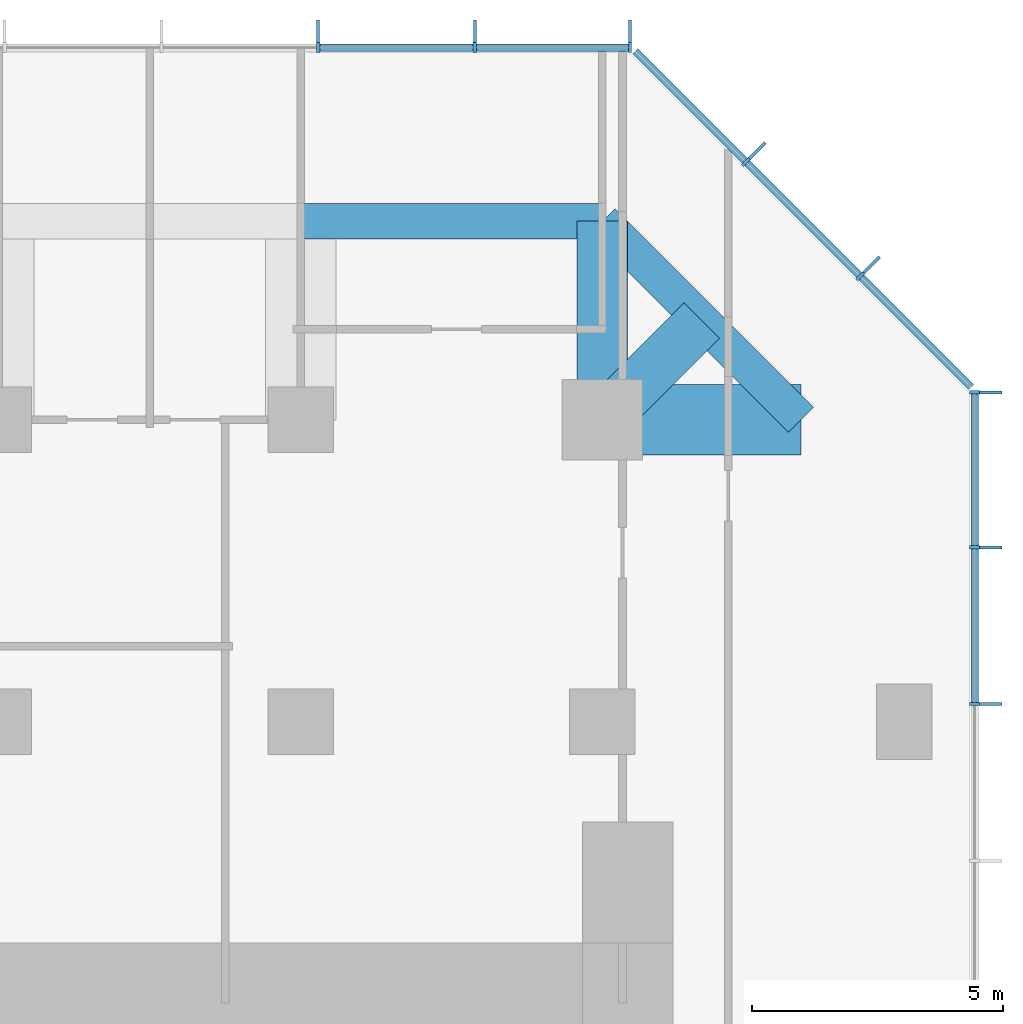
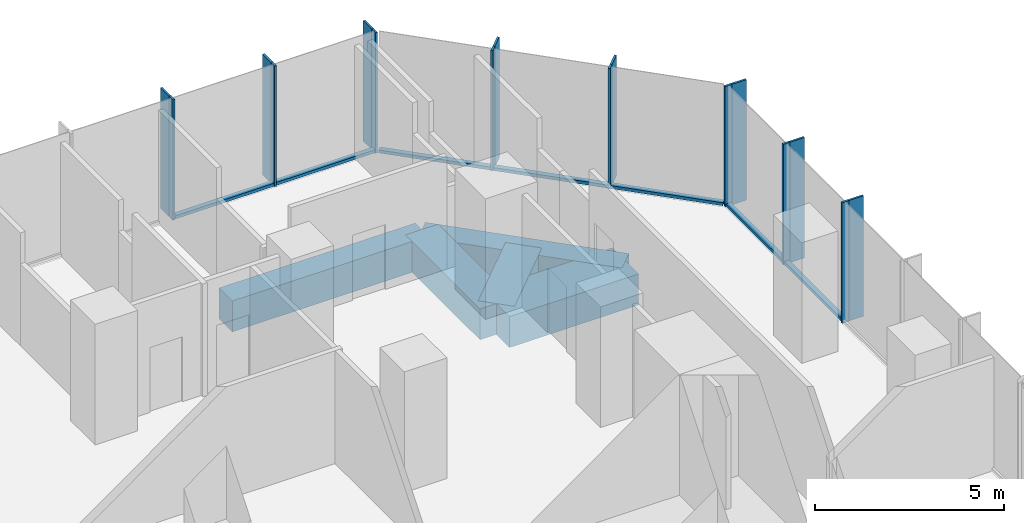
# One storey, part 6 of 11: 23 members, 5 beams, 3 elements without a shape of their own.
"""IFC4 building model written with IfcOpenShell, lengths in metres."""

from ifc_helpers import new_model, si_unit, direction, frame, origin, origin_2d, place, context, subcontext, project, spatial, rectangle, extrude, material, layer, layer_set, material_profile, profile_set, type_object, element, aggregate, save


model = new_model("IFC4")

# Units and contexts
model_context = context("Model", 3, precision=1e-05, world=origin(), true_north=direction((0.0, 1.0)))
body_context = subcontext(model_context, "Body", "Model", "MODEL_VIEW")
ifc_project = project(units=[si_unit("LENGTHUNIT", "METRE"), si_unit("AREAUNIT", "SQUARE_METRE"), si_unit("VOLUMEUNIT", "CUBIC_METRE"), si_unit("PLANEANGLEUNIT", "RADIAN"), si_unit("MASSUNIT", "GRAM", prefix="KILO")], contexts=[model_context])

# Site, building, storey
site_placement = place(None, origin())
site = spatial("IfcSite", under=ifc_project, at=site_placement, CompositionType="ELEMENT")
building_placement = place(site_placement, origin())
building = spatial("IfcBuilding", under=site, at=building_placement, Name="Highveld Stack Headquarters", CompositionType="ELEMENT")
storey_placement = place(building_placement, frame((0.0, 0.0, 204.5)))
storey = spatial("IfcBuildingStorey", under=building, at=storey_placement, Name="L50", CompositionType="ELEMENT", Elevation=204.5)

# Beams
ifc_material_1 = material(Name="Concrete C60/75", Category="concrete")
ifc_material_profile_1 = material_profile(ifc_material_1, rectangle(XDim=1.0, YDim=1.0, at=origin_2d()), Name="RC 1000x1000")
ifc_profile_set_1 = profile_set([ifc_material_profile_1], Name="Concrete C60/75")
beam_type_1 = type_object("IfcBeamType", Name="CANTILEVER RIB RC 1000x1000", PredefinedType="USERDEFINED", material=ifc_profile_set_1)
beam_1_placement = place(storey_placement, frame((18.0, 24.0, -0.75), z_axis=(0.0, 1.0, 0.0), x_axis=(-1.0, 0.0, 0.0)))
element("IfcBeam", 1, at=beam_1_placement, inside=storey, type_object=beam_type_1, Name="Cantilever rib 9/J L50", ObjectType="CANTILEVER RIB", PredefinedType="USERDEFINED", context=body_context, shape_type="SweptSolid", body=[
    extrude(rectangle(XDim=1.0, YDim=1.0, at=origin_2d()), origin(), (0.0, 0.0, 1.0), 3.949951171875),
])
beam_2_placement = place(storey_placement, frame((18.0, 24.0, -0.75), z_axis=(0.707106781187, 0.707106781187, 0.0), x_axis=(-0.707106781187, 0.707106781187, 0.0)))
element("IfcBeam", 2, at=beam_2_placement, inside=storey, type_object=beam_type_1, Name="Cantilever rib 9/J L50", ObjectType="CANTILEVER RIB", PredefinedType="USERDEFINED", context=body_context, shape_type="SweptSolid", body=[
    extrude(rectangle(XDim=1.0, YDim=1.0, at=origin_2d()), origin(), (0.0, 0.0, 1.0), 2.793212890625),
])
ifc_material_2 = material(Name="Concrete C60/75", Category="concrete")
ifc_material_profile_2 = material_profile(ifc_material_2, rectangle(XDim=1.39990234375, YDim=1.0, at=origin_2d()), Name="RC 1400x1000")
ifc_profile_set_2 = profile_set([ifc_material_profile_2], Name="Concrete C60/75")
beam_type_2 = type_object("IfcBeamType", Name="CANTILEVER RIB RC 1400x1000", PredefinedType="USERDEFINED", material=ifc_profile_set_2)
beam_3_placement = place(storey_placement, frame((18.0, 24.0, -0.75), z_axis=(1.0, 0.0, 0.0), x_axis=(0.0, 1.0, 0.0)))
element("IfcBeam", 3, at=beam_3_placement, inside=storey, type_object=beam_type_2, Name="Cantilever rib 9/J L50", ObjectType="CANTILEVER RIB", PredefinedType="USERDEFINED", context=body_context, shape_type="SweptSolid", body=[
    extrude(rectangle(XDim=1.39990234375, YDim=1.0, at=origin_2d()), origin(), (0.0, 0.0, 1.0), 3.949951171875),
])

# Curtain wall, members
ifc_material_3 = material(Name="Aluminium bronze anodised", Category="aluminium")
ifc_layer_1 = layer(ifc_material_3, 0.199951171875)
ifc_layer_set_1 = layer_set([ifc_layer_1], Name="Aluminium bronze anodised")
curtain_wall_type_1 = type_object("IfcCurtainWallType", Name="CW1 TOWER UNITISED CURTAIN WALL", PredefinedType="NOTDEFINED", material=ifc_layer_set_1)
curtain_wall_1_placement = place(storey_placement, origin())
curtain_wall_1 = element("IfcCurtainWall", 4, at=curtain_wall_1_placement, inside=storey, type_object=curtain_wall_type_1, Name="Curtain wall CW1 L50 E", PredefinedType="NOTDEFINED")
ifc_material_4 = material(Name="Aluminium bronze anodised", Category="aluminium")
ifc_material_profile_3 = material_profile(ifc_material_4, rectangle(XDim=0.449951171875, YDim=0.06005859375, at=origin_2d()), Name="FIN 450x60")
ifc_profile_set_3 = profile_set([ifc_material_profile_3], Name="Aluminium bronze anodised")
member_type_1 = type_object("IfcMemberType", Name="CW1 BRONZE FIN 450x60", PredefinedType="USERDEFINED", material=ifc_profile_set_3)
member_1_placement = place(storey_placement, frame((25.72509765625, 18.347900390625, 0.0), z_axis=(0.0, 0.0, 1.0), x_axis=(-1.0, 0.0, 0.0)))
member_1 = element("IfcMember", 5, at=member_1_placement, type_object=member_type_1, Name="CW1 fin L50 9", ObjectType="FIN", PredefinedType="USERDEFINED", context=body_context, shape_type="SweptSolid", body=[
    extrude(rectangle(XDim=0.449951171875, YDim=0.06005859375, at=origin_2d()), origin(), (0.0, 0.0, 1.0), 3.89990234375),
])
member_2_placement = place(storey_placement, frame((25.72509765625, 21.4638671875, 0.0), z_axis=(0.0, 0.0, 1.0), x_axis=(-1.0, 0.0, 0.0)))
member_2 = element("IfcMember", 6, at=member_2_placement, type_object=member_type_1, Name="CW1 fin L50 10", ObjectType="FIN", PredefinedType="USERDEFINED", context=body_context, shape_type="SweptSolid", body=[
    extrude(rectangle(XDim=0.449951171875, YDim=0.06005859375, at=origin_2d()), origin(), (0.0, 0.0, 1.0), 3.89990234375),
])
member_3_placement = place(storey_placement, frame((25.72509765625, 24.54736328125, 0.0), z_axis=(0.0, 0.0, 1.0), x_axis=(-1.0, 0.0, 0.0)))
member_3 = element("IfcMember", 7, at=member_3_placement, type_object=member_type_1, Name="CW1 fin L50 11", ObjectType="FIN", PredefinedType="USERDEFINED", context=body_context, shape_type="SweptSolid", body=[
    extrude(rectangle(XDim=0.449951171875, YDim=0.06005859375, at=origin_2d()), origin(), (0.0, 0.0, 1.0), 3.89990234375),
])

curtain_wall_2_placement = place(storey_placement, origin())
curtain_wall_2 = element("IfcCurtainWall", 8, at=curtain_wall_2_placement, inside=storey, type_object=curtain_wall_type_1, Name="Curtain wall CW1 L50 N", PredefinedType="NOTDEFINED")
member_4_placement = place(storey_placement, frame((18.54736328125, 31.72509765625, 0.0), z_axis=(0.0, 0.0, 1.0), x_axis=(0.0, -1.0, 0.0)))
member_4 = element("IfcMember", 9, at=member_4_placement, type_object=member_type_1, Name="CW1 fin L50 1", ObjectType="FIN", PredefinedType="USERDEFINED", context=body_context, shape_type="SweptSolid", body=[
    extrude(rectangle(XDim=0.449951171875, YDim=0.06005859375, at=origin_2d()), origin(), (0.0, 0.0, 1.0), 3.89990234375),
])
member_5_placement = place(storey_placement, frame((15.4638671875, 31.72509765625, 0.0), z_axis=(0.0, 0.0, 1.0), x_axis=(0.0, -1.0, 0.0)))
member_5 = element("IfcMember", 10, at=member_5_placement, type_object=member_type_1, Name="CW1 fin L50 2", ObjectType="FIN", PredefinedType="USERDEFINED", context=body_context, shape_type="SweptSolid", body=[
    extrude(rectangle(XDim=0.449951171875, YDim=0.06005859375, at=origin_2d()), origin(), (0.0, 0.0, 1.0), 3.89990234375),
])
member_6_placement = place(storey_placement, frame((12.347900390625, 31.72509765625, 0.0), z_axis=(0.0, 0.0, 1.0), x_axis=(0.0, -1.0, 0.0)))
member_6 = element("IfcMember", 11, at=member_6_placement, type_object=member_type_1, Name="CW1 fin L50 3", ObjectType="FIN", PredefinedType="USERDEFINED", context=body_context, shape_type="SweptSolid", body=[
    extrude(rectangle(XDim=0.449951171875, YDim=0.06005859375, at=origin_2d()), origin(), (0.0, 0.0, 1.0), 3.89990234375),
])

# Member
ifc_material_5 = material(Name="Aluminium bronze anodised", Category="aluminium")
ifc_material_profile_4 = material_profile(ifc_material_5, rectangle(XDim=0.199951171875, YDim=0.06494140625, at=origin_2d()), Name="CW1 MULLION 65x200")
ifc_profile_set_4 = profile_set([ifc_material_profile_4], Name="Aluminium bronze anodised")
member_type_2 = type_object("IfcMemberType", Name="CW1 MULLION 65x200", PredefinedType="MULLION", material=ifc_profile_set_4)
member_7_placement = place(storey_placement, frame((25.39990234375, 18.347900390625, 0.0), z_axis=(0.0, 0.0, 1.0), x_axis=(-1.0, 0.0, 0.0)))
member_7 = element("IfcMember", 12, at=member_7_placement, type_object=member_type_2, Name="CW1 mullion L50 9", PredefinedType="MULLION", context=body_context, shape_type="SweptSolid", body=[
    extrude(rectangle(XDim=0.199951171875, YDim=0.06494140625, at=origin_2d()), origin(), (0.0, 0.0, 1.0), 3.89990234375),
])

member_8_placement = place(storey_placement, frame((25.39990234375, 21.4638671875, 0.0), z_axis=(0.0, 0.0, 1.0), x_axis=(-1.0, 0.0, 0.0)))
member_8 = element("IfcMember", 13, at=member_8_placement, type_object=member_type_2, Name="CW1 mullion L50 10", PredefinedType="MULLION", context=body_context, shape_type="SweptSolid", body=[
    extrude(rectangle(XDim=0.199951171875, YDim=0.06494140625, at=origin_2d()), origin(), (0.0, 0.0, 1.0), 3.89990234375),
])

member_9_placement = place(storey_placement, frame((25.39990234375, 24.54736328125, 0.0), z_axis=(0.0, 0.0, 1.0), x_axis=(-1.0, 0.0, 0.0)))
member_9 = element("IfcMember", 14, at=member_9_placement, type_object=member_type_2, Name="CW1 mullion L50 11", PredefinedType="MULLION", context=body_context, shape_type="SweptSolid", body=[
    extrude(rectangle(XDim=0.199951171875, YDim=0.06494140625, at=origin_2d()), origin(), (0.0, 0.0, 1.0), 3.89990234375),
])

member_10_placement = place(storey_placement, frame((18.54736328125, 31.39990234375, 0.0), z_axis=(0.0, 0.0, 1.0), x_axis=(0.0, -1.0, 0.0)))
member_10 = element("IfcMember", 15, at=member_10_placement, type_object=member_type_2, Name="CW1 mullion L50 1", PredefinedType="MULLION", context=body_context, shape_type="SweptSolid", body=[
    extrude(rectangle(XDim=0.199951171875, YDim=0.06494140625, at=origin_2d()), origin(), (0.0, 0.0, 1.0), 3.89990234375),
])

member_11_placement = place(storey_placement, frame((15.4638671875, 31.39990234375, 0.0), z_axis=(0.0, 0.0, 1.0), x_axis=(0.0, -1.0, 0.0)))
member_11 = element("IfcMember", 16, at=member_11_placement, type_object=member_type_2, Name="CW1 mullion L50 2", PredefinedType="MULLION", context=body_context, shape_type="SweptSolid", body=[
    extrude(rectangle(XDim=0.199951171875, YDim=0.06494140625, at=origin_2d()), origin(), (0.0, 0.0, 1.0), 3.89990234375),
])

member_12_placement = place(storey_placement, frame((12.347900390625, 31.39990234375, 0.0), z_axis=(0.0, 0.0, 1.0), x_axis=(0.0, -1.0, 0.0)))
member_12 = element("IfcMember", 17, at=member_12_placement, type_object=member_type_2, Name="CW1 mullion L50 3", PredefinedType="MULLION", context=body_context, shape_type="SweptSolid", body=[
    extrude(rectangle(XDim=0.199951171875, YDim=0.06494140625, at=origin_2d()), origin(), (0.0, 0.0, 1.0), 3.89990234375),
])

ifc_material_6 = material(Name="Aluminium bronze anodised", Category="aluminium")
ifc_material_profile_5 = material_profile(ifc_material_6, rectangle(XDim=0.14990234375, YDim=0.10009765625, at=origin_2d()), Name="CW1 TRANSOM 150x100")
ifc_profile_set_5 = profile_set([ifc_material_profile_5], Name="Aluminium bronze anodised")
member_type_3 = type_object("IfcMemberType", Name="CW1 STACK TRANSOM 150x100", PredefinedType="USERDEFINED", material=ifc_profile_set_5)
member_13_placement = place(storey_placement, frame((25.39990234375, 18.38037109375, 0.050048828125), z_axis=(0.0, 1.0, 0.0), x_axis=(-1.0, 0.0, 0.0)))
member_13 = element("IfcMember", 18, at=member_13_placement, type_object=member_type_3, Name="CW1 transom L50 9.1", ObjectType="TRANSOM", PredefinedType="USERDEFINED", context=body_context, shape_type="SweptSolid", body=[
    extrude(rectangle(XDim=0.14990234375, YDim=0.10009765625, at=origin_2d()), origin(), (0.0, 0.0, 1.0), 3.051025390625),
])

member_14_placement = place(storey_placement, frame((25.39990234375, 21.496337890625, 0.050048828125), z_axis=(0.0, 1.0, 0.0), x_axis=(-1.0, 0.0, 0.0)))
member_14 = element("IfcMember", 19, at=member_14_placement, type_object=member_type_3, Name="CW1 transom L50 10.1", ObjectType="TRANSOM", PredefinedType="USERDEFINED", context=body_context, shape_type="SweptSolid", body=[
    extrude(rectangle(XDim=0.14990234375, YDim=0.10009765625, at=origin_2d()), origin(), (0.0, 0.0, 1.0), 3.0185546875),
])

aggregate(curtain_wall_1, [member_7, member_1, member_8, member_2, member_9, member_3, member_13, member_14])

member_15_placement = place(storey_placement, frame((18.514892578125, 31.39990234375, 0.050048828125), z_axis=(-1.0, 0.0, 0.0), x_axis=(0.0, -1.0, 0.0)))
member_15 = element("IfcMember", 20, at=member_15_placement, type_object=member_type_3, Name="CW1 transom L50 1.1", ObjectType="TRANSOM", PredefinedType="USERDEFINED", context=body_context, shape_type="SweptSolid", body=[
    extrude(rectangle(XDim=0.14990234375, YDim=0.10009765625, at=origin_2d()), origin(), (0.0, 0.0, 1.0), 3.0185546875),
])

member_16_placement = place(storey_placement, frame((15.431396484375, 31.39990234375, 0.050048828125), z_axis=(-1.0, 0.0, 0.0), x_axis=(0.0, -1.0, 0.0)))
member_16 = element("IfcMember", 21, at=member_16_placement, type_object=member_type_3, Name="CW1 transom L50 2.1", ObjectType="TRANSOM", PredefinedType="USERDEFINED", context=body_context, shape_type="SweptSolid", body=[
    extrude(rectangle(XDim=0.14990234375, YDim=0.10009765625, at=origin_2d()), origin(), (0.0, 0.0, 1.0), 3.051025390625),
])

aggregate(curtain_wall_2, [member_10, member_4, member_11, member_5, member_12, member_6, member_15, member_16])

# Curtain wall, members
ifc_material_7 = material(Name="Aluminium bronze anodised", Category="aluminium")
ifc_layer_2 = layer(ifc_material_7, 0.199951171875)
ifc_layer_set_2 = layer_set([ifc_layer_2], Name="Aluminium bronze anodised")
curtain_wall_type_2 = type_object("IfcCurtainWallType", Name="CW2 TOWER CHAMFER UNITISED CURTAIN WALL", PredefinedType="NOTDEFINED", material=ifc_layer_set_2)
curtain_wall_3_placement = place(storey_placement, origin())
curtain_wall_3 = element("IfcCurtainWall", 22, at=curtain_wall_3_placement, inside=storey, type_object=curtain_wall_type_2, Name="Curtain wall CW2 L50 NE", PredefinedType="NOTDEFINED")
ifc_material_8 = material(Name="Aluminium bronze anodised", Category="aluminium")
ifc_material_profile_6 = material_profile(ifc_material_8, rectangle(XDim=0.449951171875, YDim=0.06005859375, at=origin_2d()), Name="FIN 450x60")
ifc_profile_set_6 = profile_set([ifc_material_profile_6], Name="Aluminium bronze anodised")
member_type_4 = type_object("IfcMemberType", Name="CW2 BRONZE FIN 450x60", PredefinedType="USERDEFINED", material=ifc_profile_set_6)
member_17_placement = place(storey_placement, frame((23.3564453125, 27.0830078125, 0.0), z_axis=(0.0, 0.0, 1.0), x_axis=(-0.707106781187, -0.707106781187, 0.0)))
member_17 = element("IfcMember", 23, at=member_17_placement, type_object=member_type_4, Name="CW2 fin L50 1", ObjectType="FIN", PredefinedType="USERDEFINED", context=body_context, shape_type="SweptSolid", body=[
    extrude(rectangle(XDim=0.449951171875, YDim=0.06005859375, at=origin_2d()), origin(), (0.0, 0.0, 1.0), 3.89990234375),
])
member_18_placement = place(storey_placement, frame((21.0830078125, 29.3564453125, 0.0), z_axis=(0.0, 0.0, 1.0), x_axis=(-0.707106781187, -0.707106781187, 0.0)))
member_18 = element("IfcMember", 24, at=member_18_placement, type_object=member_type_4, Name="CW2 fin L50 2", ObjectType="FIN", PredefinedType="USERDEFINED", context=body_context, shape_type="SweptSolid", body=[
    extrude(rectangle(XDim=0.449951171875, YDim=0.06005859375, at=origin_2d()), origin(), (0.0, 0.0, 1.0), 3.89990234375),
])
ifc_material_9 = material(Name="Aluminium bronze anodised", Category="aluminium")
ifc_material_profile_7 = material_profile(ifc_material_9, rectangle(XDim=0.199951171875, YDim=0.06494140625, at=origin_2d()), Name="CW2 MULLION 65x200")
ifc_profile_set_7 = profile_set([ifc_material_profile_7], Name="Aluminium bronze anodised")
member_type_5 = type_object("IfcMemberType", Name="CW2 MULLION 65x200", PredefinedType="MULLION", material=ifc_profile_set_7)
member_19_placement = place(storey_placement, frame((23.126708984375, 26.853271484375, 0.0), z_axis=(0.0, 0.0, 1.0), x_axis=(-0.707106781187, -0.707106781187, 0.0)))
member_19 = element("IfcMember", 25, at=member_19_placement, type_object=member_type_5, Name="CW2 mullion L50 1", PredefinedType="MULLION", context=body_context, shape_type="SweptSolid", body=[
    extrude(rectangle(XDim=0.199951171875, YDim=0.06494140625, at=origin_2d()), origin(), (0.0, 0.0, 1.0), 3.89990234375),
])
member_20_placement = place(storey_placement, frame((20.853271484375, 29.126708984375, 0.0), z_axis=(0.0, 0.0, 1.0), x_axis=(-0.707106781187, -0.707106781187, 0.0)))
member_20 = element("IfcMember", 26, at=member_20_placement, type_object=member_type_5, Name="CW2 mullion L50 2", PredefinedType="MULLION", context=body_context, shape_type="SweptSolid", body=[
    extrude(rectangle(XDim=0.199951171875, YDim=0.06494140625, at=origin_2d()), origin(), (0.0, 0.0, 1.0), 3.89990234375),
])
ifc_material_10 = material(Name="Aluminium bronze anodised", Category="aluminium")
ifc_material_profile_8 = material_profile(ifc_material_10, rectangle(XDim=0.14990234375, YDim=0.10009765625, at=origin_2d()), Name="CW2 TRANSOM 150x100")
ifc_profile_set_8 = profile_set([ifc_material_profile_8], Name="Aluminium bronze anodised")
member_type_6 = type_object("IfcMemberType", Name="CW2 STACK TRANSOM 150x100", PredefinedType="USERDEFINED", material=ifc_profile_set_8)
member_21_placement = place(storey_placement, frame((25.329345703125, 24.650634765625, 0.050048828125), z_axis=(-0.707106781187, 0.707106781187, 0.0), x_axis=(-0.707106781187, -0.707106781187, 0.0)))
member_21 = element("IfcMember", 27, at=member_21_placement, type_object=member_type_6, Name="CW2 transom L50 1.1", ObjectType="TRANSOM", PredefinedType="USERDEFINED", context=body_context, shape_type="SweptSolid", body=[
    extrude(rectangle(XDim=0.14990234375, YDim=0.10009765625, at=origin_2d()), origin(), (0.0, 0.0, 1.0), 3.08251953125),
])
member_22_placement = place(storey_placement, frame((23.103759765625, 26.876220703125, 0.050048828125), z_axis=(-0.707106781187, 0.707106781187, 0.0), x_axis=(-0.707106781187, -0.707106781187, 0.0)))
member_22 = element("IfcMember", 28, at=member_22_placement, type_object=member_type_6, Name="CW2 transom L50 2.1", ObjectType="TRANSOM", PredefinedType="USERDEFINED", context=body_context, shape_type="SweptSolid", body=[
    extrude(rectangle(XDim=0.14990234375, YDim=0.10009765625, at=origin_2d()), origin(), (0.0, 0.0, 1.0), 3.150146484375),
])
member_23_placement = place(storey_placement, frame((20.830322265625, 29.149658203125, 0.050048828125), z_axis=(-0.707106781187, 0.707106781187, 0.0), x_axis=(-0.707106781187, -0.707106781187, 0.0)))
member_23 = element("IfcMember", 29, at=member_23_placement, type_object=member_type_6, Name="CW2 transom L50 3.1", ObjectType="TRANSOM", PredefinedType="USERDEFINED", context=body_context, shape_type="SweptSolid", body=[
    extrude(rectangle(XDim=0.14990234375, YDim=0.10009765625, at=origin_2d()), origin(), (0.0, 0.0, 1.0), 3.08251953125),
])
aggregate(curtain_wall_3, [member_19, member_17, member_20, member_18, member_21, member_22, member_23])

# Beams
ifc_material_11 = material(Name="Concrete C60/75", Category="concrete")
ifc_material_profile_9 = material_profile(ifc_material_11, rectangle(XDim=0.699951171875, YDim=1.0, at=origin_2d()), Name="RC 700x1000")
ifc_profile_set_9 = profile_set([ifc_material_profile_9], Name="Concrete C60/75")
beam_type_3 = type_object("IfcBeamType", Name="RIB TIP BEAM RC 700x1000", PredefinedType="SPANDREL", material=ifc_profile_set_9)
beam_4_placement = place(storey_placement, frame((12.0, 27.949951171875, -0.75), z_axis=(1.0, 0.0, 0.0), x_axis=(0.0, 1.0, 0.0)))
element("IfcBeam", 30, at=beam_4_placement, inside=storey, type_object=beam_type_3, Name="Rib tip beam 8/J to 9/J L50", PredefinedType="SPANDREL", context=body_context, shape_type="SweptSolid", body=[
    extrude(rectangle(XDim=0.699951171875, YDim=1.0, at=origin_2d()), origin(), (0.0, 0.0, 1.0), 6.0),
])
beam_5_placement = place(storey_placement, frame((21.949951171875, 24.0, -0.75), z_axis=(-0.707106781187, 0.707106781187, 0.0), x_axis=(-0.707106781187, -0.707106781187, 0.0)))
element("IfcBeam", 31, at=beam_5_placement, inside=storey, type_object=beam_type_3, Name="Rib tip beam 9/J corner L50", PredefinedType="SPANDREL", context=body_context, shape_type="SweptSolid", body=[
    extrude(rectangle(XDim=0.699951171875, YDim=1.0, at=origin_2d()), origin(), (0.0, 0.0, 1.0), 5.586181640625),
])

save(model, "model.ifc")
